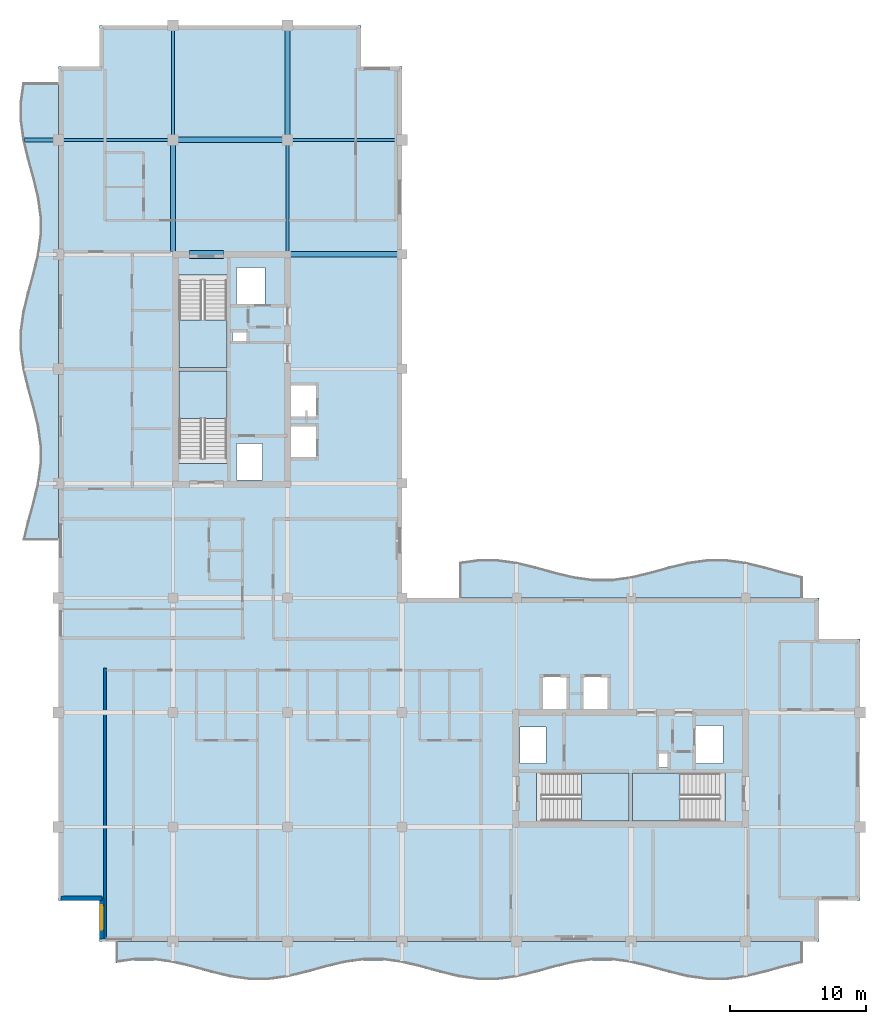
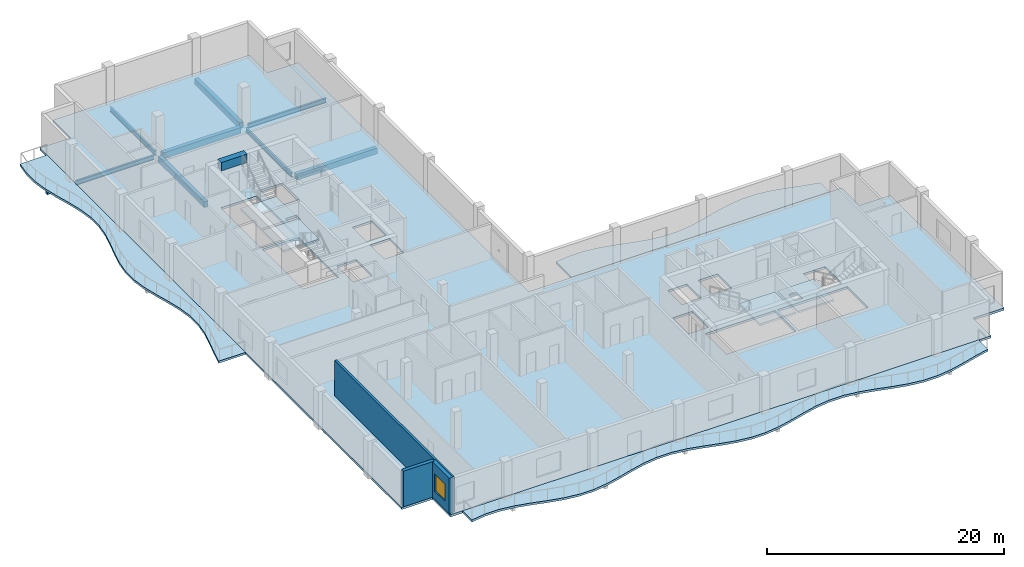
# One storey, part 2 of 11: 10 beams, 8 slabs, 3 walls, 1 window, 1 opening, 4 elements without a shape of their own.
"""IFC4 building model written with IfcOpenShell, lengths in metres."""

from ifc_helpers import new_model, si_unit, direction, frame, frame_2d, origin, origin_2d, place, context, subcontext, project, spatial, polyline, rectangle, i_section, outline, extrude, material, layer, layer_set, material_profile, profile_set, type_object, element, fill, aggregate, save


model = new_model("IFC4")

# Units and contexts
model_context = context("Model", 3, precision=1e-05, world=origin(), true_north=direction((0.0, 1.0)))
body_context = subcontext(model_context, "Body", "Model", "MODEL_VIEW")
ifc_project = project(units=[si_unit("LENGTHUNIT", "METRE"), si_unit("AREAUNIT", "SQUARE_METRE"), si_unit("VOLUMEUNIT", "CUBIC_METRE"), si_unit("PLANEANGLEUNIT", "RADIAN"), si_unit("MASSUNIT", "GRAM", prefix="KILO")], contexts=[model_context])

# Site, building, storey
site_placement = place(None, origin())
site = spatial("IfcSite", under=ifc_project, at=site_placement, CompositionType="ELEMENT")
building_placement = place(site_placement, origin())
building = spatial("IfcBuilding", under=site, at=building_placement, Name="Koriwani Terraces Tower", CompositionType="ELEMENT")
storey_placement = place(building_placement, frame((0.0, 0.0, 320.300048828125)))
storey = spatial("IfcBuildingStorey", under=building, at=storey_placement, Name="L79", CompositionType="ELEMENT", Elevation=320.300048828125)

# Beams
ifc_material_1 = material(Name="Concrete C40/50", Category="concrete")
ifc_material_profile_1 = material_profile(ifc_material_1, rectangle(XDim=0.300048828125, YDim=0.39990234375, at=origin_2d()), Name="Concrete C40/50", Category="LoadBearing")
ifc_profile_set_1 = profile_set([ifc_material_profile_1], Name="Concrete C40/50")
beam_type_1 = type_object("IfcBeamType", Name="BEAM_RC_BALCONY_RIB_300X400", PredefinedType="JOIST", material=ifc_profile_set_1)
beam_1_placement = place(storey_placement, frame((5.919677734375, 67.199951171875, -0.429931640625), z_axis=(1.0, 0.0, 0.0), x_axis=(0.0, 1.0, 0.0)))
element("IfcBeam", 1, at=beam_1_placement, inside=storey, type_object=beam_type_1, Name="L79 Balcony Bracket Rib W-4", PredefinedType="JOIST", context=body_context, shape_type="SweptSolid", body=[
    extrude(rectangle(XDim=0.300048828125, YDim=0.39990234375, at=origin_2d()), origin(), (0.0, 0.0, 1.0), 2.38037109375),
])
ifc_material_2 = material(Name="Concrete C50/60", Category="concrete")
ifc_material_profile_2 = material_profile(ifc_material_2, rectangle(XDim=0.60009765625, YDim=0.85009765625, at=origin_2d()), Name="Concrete C50/60", Category="LoadBearing")
ifc_profile_set_2 = profile_set([ifc_material_profile_2], Name="Concrete C50/60")
beam_type_2 = type_object("IfcBeamType", Name="BEAM_RC_COUPLING_600X850", PredefinedType="LINTEL", material=ifc_profile_set_2)
beam_2_placement = place(storey_placement, frame((18.0, 58.800048828125, 3.244873046875), z_axis=(1.0, 0.0, 0.0), x_axis=(0.0, 1.0, 0.0)))
element("IfcBeam", 2, at=beam_2_placement, inside=storey, type_object=beam_type_2, Name="L79 Core Coupling Lintel Beam WN", PredefinedType="LINTEL", context=body_context, shape_type="SweptSolid", body=[
    extrude(rectangle(XDim=0.60009765625, YDim=0.85009765625, at=origin_2d()), origin(), (0.0, 0.0, 1.0), 2.5),
])
ifc_material_profile_3 = material_profile(ifc_material_1, rectangle(XDim=0.39990234375, YDim=0.60009765625, at=origin_2d()), Name="Concrete C40/50", Category="LoadBearing")
ifc_profile_set_3 = profile_set([ifc_material_profile_3], Name="Concrete C40/50")
beam_type_3 = type_object("IfcBeamType", Name="BEAM_RC_GRID_400X600", PredefinedType="BEAM", material=ifc_profile_set_3)
beam_3_placement = place(storey_placement, frame((25.429931640625, 58.800048828125, -0.530029296875), z_axis=(1.0, 0.0, 0.0), x_axis=(0.0, 1.0, 0.0)))
element("IfcBeam", 3, at=beam_3_placement, inside=storey, type_object=beam_type_3, Name="L79 Grid Beam H (25.2-33.6m)", PredefinedType="BEAM", context=body_context, shape_type="SweptSolid", body=[
    extrude(rectangle(XDim=0.39990234375, YDim=0.60009765625, at=origin_2d()), origin(), (0.0, 0.0, 1.0), 7.840087890625),
])
beam_4_placement = place(storey_placement, frame((17.179931640625, 67.199951171875, -0.530029296875), z_axis=(1.0, 0.0, 0.0), x_axis=(0.0, 1.0, 0.0)))
element("IfcBeam", 4, at=beam_4_placement, inside=storey, type_object=beam_type_3, Name="L79 Grid Beam I (16.8-25.2m)", PredefinedType="BEAM", context=body_context, shape_type="SweptSolid", body=[
    extrude(rectangle(XDim=0.39990234375, YDim=0.60009765625, at=origin_2d()), origin(), (0.0, 0.0, 1.0), 7.64013671875),
])
beam_5_placement = place(storey_placement, frame((16.800048828125, 59.030029296875, -0.530029296875), z_axis=(0.0, 1.0, 0.0), x_axis=(-1.0, 0.0, 0.0)))
element("IfcBeam", 5, at=beam_5_placement, inside=storey, type_object=beam_type_3, Name="L79 Grid Beam 3 (58.8-67.2m)", PredefinedType="BEAM", context=body_context, shape_type="SweptSolid", body=[
    extrude(rectangle(XDim=0.39990234375, YDim=0.60009765625, at=origin_2d()), origin(), (0.0, 0.0, 1.0), 7.7900390625),
])
beam_6_placement = place(storey_placement, frame((25.199951171875, 67.580078125, -0.530029296875), z_axis=(0.0, 1.0, 0.0), x_axis=(-1.0, 0.0, 0.0)))
element("IfcBeam", 6, at=beam_6_placement, inside=storey, type_object=beam_type_3, Name="L79 Grid Beam 4 (67.2-75.6m)", PredefinedType="BEAM", context=body_context, shape_type="SweptSolid", body=[
    extrude(rectangle(XDim=0.39990234375, YDim=0.60009765625, at=origin_2d()), origin(), (0.0, 0.0, 1.0), 7.639892578125),
])
ifc_material_3 = material(Name="Steel ASTM A572 Grade 50", Category="steel")
ifc_material_profile_4 = material_profile(ifc_material_3, i_section(OverallWidth=0.19189453125, OverallDepth=0.462890625, WebThickness=0.010498046875, FlangeThickness=0.01611328125, at=origin_2d()), Name="Steel ASTM A572 Grade 50", Category="LoadBearing")
ifc_profile_set_4 = profile_set([ifc_material_profile_4], Name="Steel ASTM A572 Grade 50")
beam_type_4 = type_object("IfcBeamType", Name="STEEL_BEAM_W460X89", PredefinedType="BEAM", material=ifc_profile_set_4)
for number, where, z_axis, x_axis, name in (
    (7, (8.780029296875, 67.199951171875, -0.461669921875), (1.0, 0.0, 0.0), (0.0, 1.0, 0.0), "L79 Grid Beam I (8.4-16.8m)"),
    (8, (25.580078125, 67.199951171875, -0.461669921875), (1.0, 0.0, 0.0), (0.0, 1.0, 0.0), "L79 Grid Beam I (25.2-33.6m)"),
    (9, (16.800048828125, 67.580078125, -0.461669921875), (0.0, 1.0, 0.0), (-1.0, 0.0, 0.0), "L79 Grid Beam 3 (67.2-75.6m)"),
):
    element("IfcBeam", number, at=place(storey_placement, frame(where, z_axis=z_axis, x_axis=x_axis)), inside=storey, type_object=beam_type_4, Name=name, PredefinedType="BEAM", context=body_context, shape_type="SweptSolid", body=[
        extrude(i_section(OverallWidth=0.19189453125, OverallDepth=0.462890625, WebThickness=0.010498046875, FlangeThickness=0.01611328125, at=origin_2d()), origin(), (0.0, 0.0, 1.0), 7.639892578125),
    ])
beam_7_placement = place(storey_placement, frame((25.199951171875, 59.030029296875, -0.461669921875), z_axis=(0.0, 1.0, 0.0), x_axis=(-1.0, 0.0, 0.0)))
element("IfcBeam", 10, at=beam_7_placement, inside=storey, type_object=beam_type_4, Name="L79 Grid Beam 4 (58.8-67.2m)", PredefinedType="BEAM", context=body_context, shape_type="SweptSolid", body=[
    extrude(i_section(OverallWidth=0.19189453125, OverallDepth=0.462890625, WebThickness=0.010498046875, FlangeThickness=0.01611328125, at=origin_2d()), origin(), (0.0, 0.0, 1.0), 7.7900390625),
])

# Slabs
ifc_layer_1 = layer(ifc_material_1, 0.219970703125, Name="Concrete C40/50")
ifc_layer_set_1 = layer_set([ifc_layer_1], Name="Concrete C40/50")
slab_type_1 = type_object("IfcSlabType", Name="SLAB_BALCONY_220", PredefinedType="FLOOR", material=ifc_layer_set_1)
slab_1_placement = place(storey_placement, frame((0.0, 0.0, -0.219970703125)))
element("IfcSlab", 11, at=slab_1_placement, inside=storey, type_object=slab_type_1, Name="L79 Quilted Circular-Arc Balcony (S)", PredefinedType="FLOOR", context=body_context, shape_type="SweptSolid", body=[
    extrude(outline(polyline([(12.60009765625, 8.39990234375), (14.0, 8.39990234375), (15.39990234375, 8.39990234375), (16.800048828125, 8.39990234375), (18.199951171875, 8.39990234375), (19.60009765625, 8.39990234375), (21.0, 8.39990234375), (22.39990234375, 8.39990234375), (23.800048828125, 8.39990234375), (25.199951171875, 8.39990234375), (26.60009765625, 8.39990234375), (28.0, 8.39990234375), (29.39990234375, 8.39990234375), (30.800048828125, 8.39990234375), (32.199951171875, 8.39990234375), (33.60009765625, 8.39990234375), (35.0, 8.39990234375), (36.39990234375, 8.39990234375), (37.800048828125, 8.39990234375), (39.199951171875, 8.39990234375), (40.60009765625, 8.39990234375), (42.0, 8.39990234375), (43.39990234375, 8.39990234375), (44.800048828125, 8.39990234375), (46.199951171875, 8.39990234375), (47.60009765625, 8.39990234375), (49.0, 8.39990234375), (50.39990234375, 8.39990234375), (51.800048828125, 8.39990234375), (53.199951171875, 8.39990234375), (54.60009765625, 8.39990234375), (56.0, 8.39990234375), (57.39990234375, 8.39990234375), (58.800048828125, 8.39990234375), (60.199951171875, 8.39990234375), (61.60009765625, 8.39990234375), (63.0, 8.39990234375), (63.0, 6.830322265625), (61.60009765625, 6.494140625), (60.199951171875, 6.10595703125), (58.800048828125, 5.769775390625), (57.39990234375, 5.57568359375), (56.0, 5.57568359375), (54.60009765625, 5.769775390625), (53.199951171875, 6.10595703125), (51.800048828125, 6.494140625), (50.39990234375, 6.830322265625), (49.0, 7.0244140625), (47.60009765625, 7.0244140625), (46.199951171875, 6.830322265625), (44.800048828125, 6.494140625), (43.39990234375, 6.10595703125), (42.0, 5.769775390625), (40.60009765625, 5.57568359375), (39.199951171875, 5.57568359375), (37.800048828125, 5.769775390625), (36.39990234375, 6.10595703125), (35.0, 6.494140625), (33.60009765625, 6.830322265625), (32.199951171875, 7.0244140625), (30.800048828125, 7.0244140625), (29.39990234375, 6.830322265625), (28.0, 6.494140625), (26.60009765625, 6.10595703125), (25.199951171875, 5.769775390625), (23.800048828125, 5.57568359375), (22.39990234375, 5.57568359375), (21.0, 5.769775390625), (19.60009765625, 6.10595703125), (18.199951171875, 6.494140625), (16.800048828125, 6.830322265625), (15.39990234375, 7.0244140625), (14.0, 7.0244140625), (12.60009765625, 6.830322265625), (12.60009765625, 8.39990234375)])), origin(), (0.0, 0.0, 1.0), 0.219970703125),
])
slab_2_placement = place(storey_placement, frame((0.0, 0.0, -0.219970703125)))
element("IfcSlab", 12, at=slab_2_placement, inside=storey, type_object=slab_type_1, Name="L79 Quilted Circular-Arc Balcony (W)", PredefinedType="FLOOR", context=body_context, shape_type="SweptSolid", body=[
    extrude(outline(polyline([(8.39990234375, 37.800048828125), (8.39990234375, 39.199951171875), (8.39990234375, 40.60009765625), (8.39990234375, 42.0), (8.39990234375, 43.39990234375), (8.39990234375, 44.800048828125), (8.39990234375, 46.199951171875), (8.39990234375, 47.60009765625), (8.39990234375, 49.0), (8.39990234375, 50.39990234375), (8.39990234375, 51.800048828125), (8.39990234375, 53.199951171875), (8.39990234375, 54.60009765625), (8.39990234375, 56.0), (8.39990234375, 57.39990234375), (8.39990234375, 58.800048828125), (8.39990234375, 60.199951171875), (8.39990234375, 61.60009765625), (8.39990234375, 63.0), (8.39990234375, 64.39990234375), (8.39990234375, 65.800048828125), (8.39990234375, 67.199951171875), (8.39990234375, 68.60009765625), (8.39990234375, 70.0), (8.39990234375, 71.39990234375), (5.769775390625, 71.39990234375), (5.57568359375, 70.0), (5.57568359375, 68.60009765625), (5.769775390625, 67.199951171875), (6.10595703125, 65.800048828125), (6.494140625, 64.39990234375), (6.830322265625, 63.0), (7.0244140625, 61.60009765625), (7.0244140625, 60.199951171875), (6.830322265625, 58.800048828125), (6.494140625, 57.39990234375), (6.10595703125, 56.0), (5.769775390625, 54.60009765625), (5.57568359375, 53.199951171875), (5.57568359375, 51.800048828125), (5.769775390625, 50.39990234375), (6.10595703125, 49.0), (6.494140625, 47.60009765625), (6.830322265625, 46.199951171875), (7.0244140625, 44.800048828125), (7.0244140625, 43.39990234375), (6.830322265625, 42.0), (6.494140625, 40.60009765625), (6.10595703125, 39.199951171875), (5.769775390625, 37.800048828125), (8.39990234375, 37.800048828125)])), origin(), (0.0, 0.0, 1.0), 0.219970703125),
])
slab_3_placement = place(storey_placement, frame((0.0, 0.0, -0.219970703125)))
element("IfcSlab", 13, at=slab_3_placement, inside=storey, type_object=slab_type_1, Name="L79 Quilted Circular-Arc Balcony (NE)", PredefinedType="FLOOR", context=body_context, shape_type="SweptSolid", body=[
    extrude(outline(polyline([(63.0, 33.60009765625), (61.60009765625, 33.60009765625), (60.199951171875, 33.60009765625), (58.800048828125, 33.60009765625), (57.39990234375, 33.60009765625), (56.0, 33.60009765625), (54.60009765625, 33.60009765625), (53.199951171875, 33.60009765625), (51.800048828125, 33.60009765625), (50.39990234375, 33.60009765625), (49.0, 33.60009765625), (47.60009765625, 33.60009765625), (46.199951171875, 33.60009765625), (44.800048828125, 33.60009765625), (43.39990234375, 33.60009765625), (42.0, 33.60009765625), (40.60009765625, 33.60009765625), (39.199951171875, 33.60009765625), (37.800048828125, 33.60009765625), (37.800048828125, 36.230224609375), (39.199951171875, 36.42431640625), (40.60009765625, 36.42431640625), (42.0, 36.230224609375), (43.39990234375, 35.89404296875), (44.800048828125, 35.505859375), (46.199951171875, 35.169677734375), (47.60009765625, 34.9755859375), (49.0, 34.9755859375), (50.39990234375, 35.169677734375), (51.800048828125, 35.505859375), (53.199951171875, 35.89404296875), (54.60009765625, 36.230224609375), (56.0, 36.42431640625), (57.39990234375, 36.42431640625), (58.800048828125, 36.230224609375), (60.199951171875, 35.89404296875), (61.60009765625, 35.505859375), (63.0, 35.169677734375), (63.0, 33.60009765625)])), origin(), (0.0, 0.0, 1.0), 0.219970703125),
])
ifc_layer_2 = layer(ifc_material_1, 0.22998046875, Name="Concrete C40/50")
ifc_layer_set_2 = layer_set([ifc_layer_2], Name="Concrete C40/50")
slab_type_2 = type_object("IfcSlabType", Name="SLAB_RES_TYP_230", PredefinedType="FLOOR", material=ifc_layer_set_2)
slab_4_placement = place(storey_placement, frame((0.0, 0.0, -0.22998046875)))
element("IfcSlab", 14, at=slab_4_placement, inside=storey, type_object=slab_type_2, Name="L79 Structural Floor Slab", PredefinedType="FLOOR", context=body_context, shape_type="SweptSolid", body=[
    extrude(outline(polyline([(11.39990234375, 8.39990234375), (64.199951171875, 8.39990234375), (64.199951171875, 11.39990234375), (67.199951171875, 11.39990234375), (67.199951171875, 30.60009765625), (64.199951171875, 30.60009765625), (64.199951171875, 33.60009765625), (33.60009765625, 33.60009765625), (33.60009765625, 72.60009765625), (30.60009765625, 72.60009765625), (30.60009765625, 75.60009765625), (11.39990234375, 75.60009765625), (11.39990234375, 72.60009765625), (8.39990234375, 72.60009765625), (8.39990234375, 11.39990234375), (11.39990234375, 11.39990234375), (11.39990234375, 8.39990234375)]), holes=[polyline([(17.25, 43.4599609375), (20.75, 43.4599609375), (20.75, 50.25), (17.25, 50.25), (17.25, 43.4599609375)]), polyline([(17.25, 50.5), (20.75, 50.5), (20.75, 57.2900390625), (17.25, 57.2900390625), (17.25, 50.5)]), polyline([(43.4599609375, 17.25), (50.25, 17.25), (50.25, 20.75), (43.4599609375, 20.75), (43.4599609375, 17.25)]), polyline([(50.5, 17.25), (57.2900390625, 17.25), (57.2900390625, 20.75), (50.5, 20.75), (50.5, 17.25)]), polyline([(25.449951171875, 43.85009765625), (27.35009765625, 43.85009765625), (27.35009765625, 46.25), (25.449951171875, 46.25), (25.449951171875, 43.85009765625)]), polyline([(25.449951171875, 46.85009765625), (27.35009765625, 46.85009765625), (27.35009765625, 49.25), (25.449951171875, 49.25), (25.449951171875, 46.85009765625)]), polyline([(43.85009765625, 25.449951171875), (45.75, 25.449951171875), (45.75, 27.85009765625), (43.85009765625, 27.85009765625), (43.85009765625, 25.449951171875)]), polyline([(46.85009765625, 25.449951171875), (48.75, 25.449951171875), (48.75, 27.85009765625), (46.85009765625, 27.85009765625), (46.85009765625, 25.449951171875)]), polyline([(21.449951171875, 55.050048828125), (23.550048828125, 55.050048828125), (23.550048828125, 57.85009765625), (21.449951171875, 57.85009765625), (21.449951171875, 55.050048828125)]), polyline([(55.050048828125, 21.449951171875), (57.14990234375, 21.449951171875), (57.14990234375, 24.25), (55.050048828125, 24.25), (55.050048828125, 21.449951171875)]), polyline([(21.449951171875, 42.25), (23.35009765625, 42.25), (23.35009765625, 44.949951171875), (21.449951171875, 44.949951171875), (21.449951171875, 42.25)]), polyline([(42.25, 21.449951171875), (44.14990234375, 21.449951171875), (44.14990234375, 24.14990234375), (42.25, 24.14990234375), (42.25, 21.449951171875)]), polyline([(21.14990234375, 52.419921875), (22.219970703125, 52.419921875), (22.219970703125, 53.179931640625), (21.14990234375, 53.179931640625), (21.14990234375, 52.419921875)]), polyline([(52.419921875, 21.14990234375), (53.179931640625, 21.14990234375), (53.179931640625, 22.219970703125), (52.419921875, 22.219970703125), (52.419921875, 21.14990234375)])]), origin(), (0.0, 0.0, 1.0), 0.22998046875),
])

# Stair, slab
stair_type = type_object("IfcStairType", Name="STAIR_CORE_DOGLEG_1650", PredefinedType="TWO_STRAIGHT_RUN_STAIR", material=ifc_material_1)
stair_1_placement = place(storey_placement, origin())
stair_1 = element("IfcStair", 15, at=stair_1_placement, inside=storey, type_object=stair_type, Name="L79 West Core Exit Stair 1", PredefinedType="HALF_TURN_STAIR")
ifc_layer_3 = layer(ifc_material_1, 0.199951171875, Name="Concrete C40/50")
ifc_layer_set_3 = layer_set([ifc_layer_3], Name="Concrete C40/50")
slab_type_3 = type_object("IfcSlabType", Name="SLAB_STAIR_LANDING_200", PredefinedType="LANDING", material=ifc_layer_set_3)
slab_5_placement = place(storey_placement, frame((0.0, 0.0, 1.75)))
slab_5 = element("IfcSlab", 16, at=slab_5_placement, type_object=slab_type_3, Name="ST-W1 landing 1", PredefinedType="LANDING", context=body_context, shape_type="SweptSolid", body=[
    extrude(outline(polyline([(20.75, 46.75), (20.75, 50.25), (17.25, 50.25), (17.25, 46.75), (20.75, 46.75)])), origin(), (0.0, 0.0, 1.0), 0.199951171875),
])
aggregate(stair_1, [slab_5])

stair_2_placement = place(storey_placement, origin())
stair_2 = element("IfcStair", 17, at=stair_2_placement, inside=storey, type_object=stair_type, Name="L79 West Core Exit Stair 2", PredefinedType="HALF_TURN_STAIR")
slab_6_placement = place(storey_placement, frame((0.0, 0.0, 1.75)))
slab_6 = element("IfcSlab", 18, at=slab_6_placement, type_object=slab_type_3, Name="ST-W2 landing 1", PredefinedType="LANDING", context=body_context, shape_type="SweptSolid", body=[
    extrude(outline(polyline([(17.25, 54.0), (17.25, 50.5), (20.75, 50.5), (20.75, 54.0), (17.25, 54.0)])), origin(), (0.0, 0.0, 1.0), 0.199951171875),
])
aggregate(stair_2, [slab_6])

stair_3_placement = place(storey_placement, origin())
stair_3 = element("IfcStair", 19, at=stair_3_placement, inside=storey, type_object=stair_type, Name="L79 East Core Exit Stair 1", PredefinedType="HALF_TURN_STAIR")
slab_7_placement = place(storey_placement, frame((0.0, 0.0, 1.75)))
slab_7 = element("IfcSlab", 20, at=slab_7_placement, type_object=slab_type_3, Name="ST-E1 landing 1", PredefinedType="LANDING", context=body_context, shape_type="SweptSolid", body=[
    extrude(outline(polyline([(46.75, 17.25), (50.25, 17.25), (50.25, 20.75), (46.75, 20.75), (46.75, 17.25)])), origin(), (0.0, 0.0, 1.0), 0.199951171875),
])
aggregate(stair_3, [slab_7])

stair_4_placement = place(storey_placement, origin())
stair_4 = element("IfcStair", 21, at=stair_4_placement, inside=storey, type_object=stair_type, Name="L79 East Core Exit Stair 2", PredefinedType="HALF_TURN_STAIR")
slab_8_placement = place(storey_placement, frame((0.0, 0.0, 1.75)))
slab_8 = element("IfcSlab", 22, at=slab_8_placement, type_object=slab_type_3, Name="ST-E2 landing 1", PredefinedType="LANDING", context=body_context, shape_type="SweptSolid", body=[
    extrude(outline(polyline([(54.0, 20.75), (50.5, 20.75), (50.5, 17.25), (54.0, 17.25), (54.0, 20.75)])), origin(), (0.0, 0.0, 1.0), 0.199951171875),
])
aggregate(stair_4, [slab_8])

# Wall
ifc_material_4 = material(Name="Autoclaved Cellular Concrete Blockwork", Category="masonry")
ifc_layer_4 = layer(ifc_material_4, 0.219970703125, Name="Autoclaved Cellular Concrete Blockwork")
ifc_layer_set_4 = layer_set([ifc_layer_4], Name="Autoclaved Cellular Concrete Blockwork")
wall_type_1 = type_object("IfcWallType", Name="WALL_DEMISING_220", PredefinedType="PARTITIONING", material=ifc_layer_set_4)
wall_1_placement = place(storey_placement, frame((11.800048828125, 8.60009765625, 0.0), z_axis=(0.0, 0.0, 1.0), x_axis=(0.0, 1.0, 0.0)))
element("IfcWall", 23, at=wall_1_placement, inside=storey, type_object=wall_type_1, Name="L79 Interior Wall WRDEM-L79-SW-0", PredefinedType="PARTITIONING", context=body_context, shape_type="SweptSolid", body=[
    extrude(rectangle(XDim=19.8798828125, YDim=0.219970703125, at=frame_2d((9.93994140625, 0.0))), origin(), (0.0, 0.0, 1.0), 3.669921875),
])

# Wall, opening, window
ifc_layer_5 = layer(ifc_material_2, 0.35009765625, Name="Concrete C50/60")
ifc_layer_set_5 = layer_set([ifc_layer_5], Name="Concrete C50/60")
wall_type_2 = type_object("IfcWallType", Name="WALL_EXT_BRUTALIST_350", PredefinedType="STANDARD", material=ifc_layer_set_5)
wall_2_placement = place(storey_placement, frame((11.574951171875, 8.574951171875, 0.0), z_axis=(0.0, 0.0, 1.0), x_axis=(0.0, 1.0, 0.0)))
wall_2 = element("IfcWall", 24, at=wall_2_placement, inside=storey, type_object=wall_type_2, Name="L79 Fair-Faced Brutalist Exterior Wall (N0)", PredefinedType="STANDARD", context=body_context, shape_type="SweptSolid", body=[
    extrude(rectangle(XDim=3.0, YDim=0.35009765625, at=frame_2d((1.5, 0.0))), origin(), (0.0, 0.0, 1.0), 3.669921875),
])
opening_placement = place(wall_2_placement, frame((0.677490234375, 0.0, 0.85009765625)))
opening = element("IfcOpeningElement", 25, at=opening_placement, cuts=wall_2, Name="Opening W-04", PredefinedType="OPENING", context=body_context, shape_type="SweptSolid", body=[
    extrude(rectangle(XDim=1.800048828125, YDim=1.800048828125, at=frame_2d((0.89990234375, 0.89990234375))), frame((0.0, 0.18505859375, 0.0), z_axis=(0.0, -1.0, 0.0), x_axis=(1.0, 0.0, 0.0)), (0.0, 0.0, 1.0), 0.3701171875),
])
ifc_material_5 = material(Name="Tempered Laminated Low-E Glass", Category="glass")
window_type = type_object("IfcWindowType", Name="WIN_RES_BED_1800X1800", PartitioningType="DOUBLE_PANEL_VERTICAL", PredefinedType="WINDOW", material=ifc_material_5)
window_placement = place(opening_placement, origin())
window = element("IfcWindow", 26, at=window_placement, inside=storey, type_object=window_type, Name="L79 Exterior Window (N0-R34)", OverallHeight=1.800048828125, OverallWidth=1.800048828125, PartitioningType="SINGLE_PANEL", PredefinedType="WINDOW", context=body_context, shape_type="SweptSolid", body=[
    extrude(rectangle(XDim=1.800048828125, YDim=1.800048828125, at=frame_2d((0.89990234375, 0.89990234375))), frame((0.0, 0.030029296875, 0.0), z_axis=(0.0, -1.0, 0.0), x_axis=(1.0, 0.0, 0.0)), (0.0, 0.0, 1.0), 0.06005859375),
])
fill(opening, window)

# Wall
wall_3_placement = place(storey_placement, frame((11.574951171875, 11.574951171875, 0.0), z_axis=(0.0, 0.0, 1.0), x_axis=(-1.0, 0.0, 0.0)))
element("IfcWall", 27, at=wall_3_placement, inside=storey, type_object=wall_type_2, Name="L79 Fair-Faced Brutalist Exterior Wall (N1)", PredefinedType="STANDARD", context=body_context, shape_type="SweptSolid", body=[
    extrude(rectangle(XDim=3.0, YDim=0.35009765625, at=frame_2d((1.5, 0.0))), origin(), (0.0, 0.0, 1.0), 3.669921875),
])

save(model, "model.ifc")
